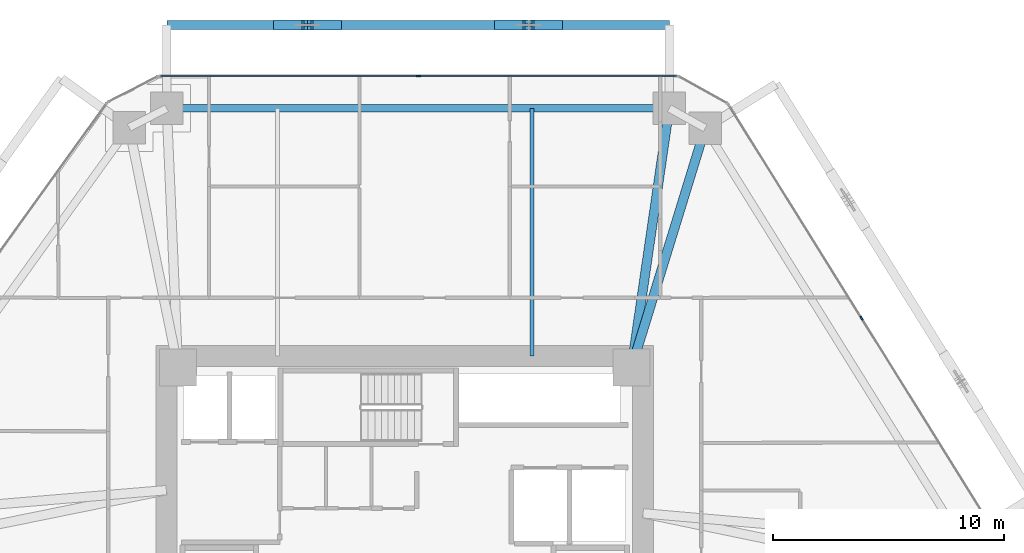
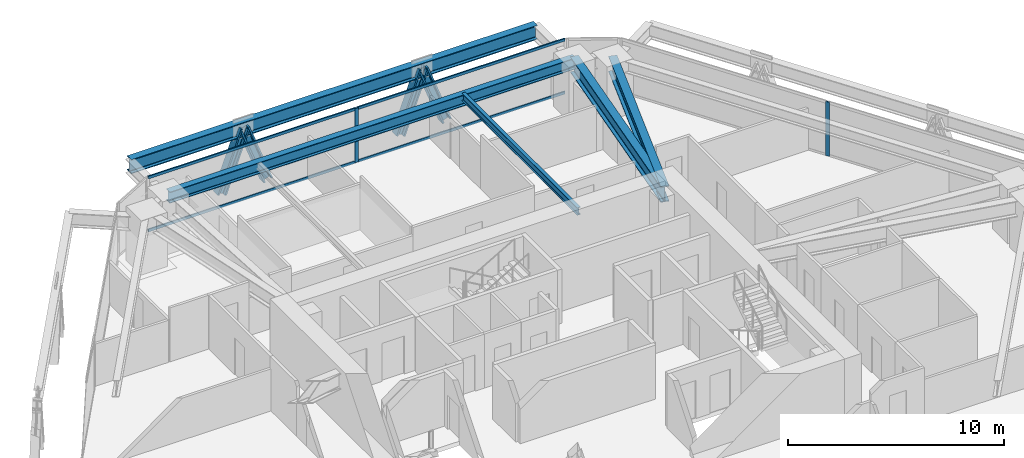
# One storey, part 8 of 17: 10 members, 5 beams, 2 elements without a shape of their own.
"""IFC4 building model written with IfcOpenShell, lengths in metres."""

from ifc_helpers import new_model, si_unit, direction, frame, origin, origin_2d, place, context, subcontext, project, spatial, rectangle, i_section, extrude, source, transform, mapped, material, layer, layer_set, material_profile, profile_set, type_object, type_shapes, element, aggregate, save


model = new_model("IFC4")

# Units and contexts
model_context = context("Model", 3, precision=1e-05, world=origin(), true_north=direction((0.0, 1.0)))
body_context = subcontext(model_context, "Body", "Model", "MODEL_VIEW")
ifc_project = project(units=[si_unit("LENGTHUNIT", "METRE"), si_unit("AREAUNIT", "SQUARE_METRE"), si_unit("VOLUMEUNIT", "CUBIC_METRE"), si_unit("PLANEANGLEUNIT", "RADIAN"), si_unit("MASSUNIT", "GRAM", prefix="KILO")], contexts=[model_context])

# Site, building, storey
site_placement = place(None, origin())
site = spatial("IfcSite", under=ifc_project, at=site_placement, CompositionType="ELEMENT")
building_placement = place(site_placement, origin())
building = spatial("IfcBuilding", under=site, at=building_placement, Name="Durnholm Broadcast Tower", CompositionType="ELEMENT")
storey_placement = place(building_placement, frame((0.0, 0.0, 39.0)))
storey = spatial("IfcBuildingStorey", under=building, at=storey_placement, Name="L08", CompositionType="ELEMENT", Elevation=39.0)

# Beams
ifc_material_1 = material(Name="Steel ASTM A992 Grade 50", Category="steel")
ifc_material_profile_1 = material_profile(ifc_material_1, i_section(OverallWidth=0.3291015625, OverallDepth=0.635009765625, WebThickness=0.017822265625, FlangeThickness=0.031005859375, FilletRadius=0.02783203125, at=origin_2d()), Name="W24X162")
ifc_profile_set_1 = profile_set([ifc_material_profile_1], Name="Steel ASTM A992 Grade 50")
beam_type_1 = type_object("IfcBeamType", Name="STL-SP-W24X162", PredefinedType="SPANDREL", material=ifc_profile_set_1)
shared_shape_1 = source(origin(), body_context, "Body", "SweptSolid", [
    extrude(i_section(OverallWidth=0.3291015625, OverallDepth=0.635009765625, WebThickness=0.017822265625, FlangeThickness=0.031005859375, FilletRadius=0.02783203125, at=origin_2d()), origin(), (0.0, 0.0, 1.0), 21.7138671875),
])
type_shapes(beam_type_1, [shared_shape_1])
beam_1_placement = place(storey_placement, frame((-10.28271484375, 19.0, 2.7275390625), z_axis=(1.0, 0.0, 0.0), x_axis=(0.0, 1.0, 0.0)))
element("IfcBeam", 1, at=beam_1_placement, inside=storey, type_object=beam_type_1, Name="L08 perimeter spandrel girder 05", PredefinedType="SPANDREL", context=body_context, shape_type="MappedRepresentation", body=[
    mapped(shared_shape_1, transform((0.0, 0.0, 0.0), x_axis=(1.0, 0.0, 0.0), y_axis=(0.0, 1.0, 0.0), z_axis=(0.0, 0.0, 1.0), scale=1.0)),
])
ifc_material_profile_2 = material_profile(ifc_material_1, i_section(OverallWidth=0.404052734375, OverallDepth=0.885009765625, WebThickness=0.0244140625, FlangeThickness=0.0439453125, FilletRadius=0.03564453125, at=origin_2d()), Name="W33X291")
ifc_profile_set_2 = profile_set([ifc_material_profile_2], Name="Steel ASTM A992 Grade 50")
beam_type_2 = type_object("IfcBeamType", Name="STL-GR-W33X291", PredefinedType="USERDEFINED", material=ifc_profile_set_2)
shared_shape_2 = source(origin(), body_context, "Body", "SweptSolid", [
    extrude(i_section(OverallWidth=0.404052734375, OverallDepth=0.885009765625, WebThickness=0.0244140625, FlangeThickness=0.0439453125, FilletRadius=0.03564453125, at=origin_2d()), origin(), (0.0, 0.0, 1.0), 11.318115234375),
])
beam_2_placement = place(storey_placement, frame((9.800048828125, 7.800048828125, 2.6025390625), z_axis=(0.144114595679, 0.989561005352, 0.0), x_axis=(-0.989561005352, 0.144114595679, 0.0)))
element("IfcBeam", 2, at=beam_2_placement, inside=storey, type_object=beam_type_2, Name="L08 radial primary floor girder 06", ObjectType="GIRDER", PredefinedType="USERDEFINED", context=body_context, shape_type="MappedRepresentation", body=[
    mapped(shared_shape_2, transform((0.0, 0.0, 0.0), x_axis=(1.0, 0.0, 0.0), y_axis=(0.0, 1.0, 0.0), z_axis=(0.0, 0.0, 1.0), scale=1.0)),
])
shared_shape_3 = source(origin(), body_context, "Body", "SweptSolid", [
    extrude(i_section(OverallWidth=0.404052734375, OverallDepth=0.885009765625, WebThickness=0.0244140625, FlangeThickness=0.0439453125, FilletRadius=0.03564453125, at=origin_2d()), origin(), (0.0, 0.0, 1.0), 10.817138671875),
])
type_shapes(beam_type_2, [shared_shape_2, shared_shape_3])
beam_3_placement = place(storey_placement, frame((9.800048828125, 7.800048828125, 2.6025390625), z_axis=(0.294219068418, 0.955738007918, 0.0), x_axis=(-0.955738007918, 0.294219068418, 0.0)))
element("IfcBeam", 3, at=beam_3_placement, inside=storey, type_object=beam_type_2, Name="L08 radial primary floor girder 07", ObjectType="GIRDER", PredefinedType="USERDEFINED", context=body_context, shape_type="MappedRepresentation", body=[
    mapped(shared_shape_3, transform((0.0, 0.0, 0.0), x_axis=(1.0, 0.0, 0.0), y_axis=(0.0, 1.0, 0.0), z_axis=(0.0, 0.0, 1.0), scale=1.0)),
])
ifc_material_profile_3 = material_profile(ifc_material_1, i_section(OverallWidth=0.180908203125, OverallDepth=0.417236328125, WebThickness=0.010986328125, FlangeThickness=0.018310546875, FilletRadius=0.01904296875, at=origin_2d()), Name="W16X57")
ifc_profile_set_3 = profile_set([ifc_material_profile_3], Name="Steel ASTM A992 Grade 50")
beam_type_3 = type_object("IfcBeamType", Name="STL-BJ-W16X57", PredefinedType="JOIST", material=ifc_profile_set_3)
shared_shape_4 = source(origin(), body_context, "Body", "SweptSolid", [
    extrude(i_section(OverallWidth=0.180908203125, OverallDepth=0.417236328125, WebThickness=0.010986328125, FlangeThickness=0.018310546875, FilletRadius=0.01904296875, at=origin_2d()), origin(), (0.0, 0.0, 1.0), 10.699951171875),
])
type_shapes(beam_type_3, [shared_shape_4])
beam_4_placement = place(storey_placement, frame((5.5, 8.300048828125, 2.83642578125), z_axis=(0.0, 1.0, 0.0), x_axis=(-1.0, 0.0, 0.0)))
element("IfcBeam", 4, at=beam_4_placement, inside=storey, type_object=beam_type_3, Name="L08 secondary floor joist 4.2", PredefinedType="JOIST", context=body_context, shape_type="MappedRepresentation", body=[
    mapped(shared_shape_4, transform((0.0, 0.0, 0.0), x_axis=(1.0, 0.0, 0.0), y_axis=(0.0, 1.0, 0.0), z_axis=(0.0, 0.0, 1.0), scale=1.0)),
])
ifc_material_profile_4 = material_profile(ifc_material_1, i_section(OverallWidth=0.385009765625, OverallDepth=0.802978515625, WebThickness=0.023681640625, FlangeThickness=0.0419921875, FilletRadius=0.032958984375, at=origin_2d()), Name="W30X261")
ifc_profile_set_4 = profile_set([ifc_material_profile_4], Name="Steel ASTM A992 Grade 50")
beam_type_4 = type_object("IfcBeamType", Name="BM-EXO-TIE", PredefinedType="USERDEFINED", material=ifc_profile_set_4)
shared_shape_5 = source(origin(), body_context, "Body", "SweptSolid", [
    extrude(i_section(OverallWidth=0.385009765625, OverallDepth=0.802978515625, WebThickness=0.023681640625, FlangeThickness=0.0419921875, FilletRadius=0.032958984375, at=origin_2d()), origin(), (0.0, 0.0, 1.0), 21.7138671875),
])
type_shapes(beam_type_4, [shared_shape_5])
beam_5_placement = place(storey_placement, frame((11.43115234375, 22.60009765625, 2.30859375), z_axis=(-1.0, 0.0, 0.0), x_axis=(0.0, -1.0, 0.0)))
element("IfcBeam", 5, at=beam_5_placement, inside=storey, type_object=beam_type_4, Name="L08 exoskeleton collector spandrel F4", PredefinedType="SPANDREL", context=body_context, shape_type="MappedRepresentation", body=[
    mapped(shared_shape_5, transform((0.0, 0.0, 0.0), x_axis=(1.0, 0.0, 0.0), y_axis=(0.0, 1.0, 0.0), z_axis=(0.0, 0.0, 1.0), scale=1.0)),
])

# Members
ifc_material_2 = material(Name="Steel ASTM A913 Grade 65", Category="steel")
ifc_material_profile_5 = material_profile(ifc_material_2, i_section(OverallWidth=0.43212890625, OverallDepth=0.497802734375, WebThickness=0.0556640625, FlangeThickness=0.0888671875, FilletRadius=0.030517578125, at=origin_2d()), Name="W14X500")
ifc_profile_set_5 = profile_set([ifc_material_profile_5], Name="Steel ASTM A913 Grade 65")
member_type_1 = type_object("IfcMemberType", Name="STL-DG-W14X500", PredefinedType="BRACE", material=ifc_profile_set_5)
shared_shape_6 = source(origin(), body_context, "Body", "SweptSolid", [
    extrude(i_section(OverallWidth=0.43212890625, OverallDepth=0.497802734375, WebThickness=0.0556640625, FlangeThickness=0.0888671875, FilletRadius=0.030517578125, at=origin_2d()), origin(), (0.0, 0.0, 1.0), 3.523193359375),
])
type_shapes(member_type_1, [shared_shape_6])
for number, where, z_axis, x_axis, name in (
    (6, (6.585205078125, 22.60009765625, -0.991455078125), (-0.350219588454, 0.0, 0.936667625075), (0.0, -1.0, 0.0), "L08 stand-off diagrid brace F4.D1.1"),
    (7, (4.117431640625, 22.60009765625, -0.991455078125), (0.350219588454, 0.0, 0.936667625075), (0.0, 1.0, 0.0), "L08 stand-off diagrid brace F4.D1.2"),
    (8, (-2.968994140625, 22.60009765625, -0.991455078125), (-0.350219588454, 0.0, 0.936667625075), (0.0, -1.0, 0.0), "L08 stand-off diagrid brace F4.D2.1"),
    (9, (-5.436767578125, 22.60009765625, -0.991455078125), (0.350219588454, 0.0, 0.936667625075), (0.0, 1.0, 0.0), "L08 stand-off diagrid brace F4.D2.2"),
):
    element("IfcMember", number, at=place(storey_placement, frame(where, z_axis=z_axis, x_axis=x_axis)), inside=storey, type_object=member_type_1, Name=name, PredefinedType="BRACE", context=body_context, shape_type="MappedRepresentation", body=[
        mapped(shared_shape_6, transform((0.0, 0.0, 0.0), x_axis=(1.0, 0.0, 0.0), y_axis=(0.0, 1.0, 0.0), z_axis=(0.0, 0.0, 1.0), scale=1.0)),
    ])

# Curtain wall, member
ifc_material_3 = material(Name="Aluminium and Solar Control IGU", Category="aluminium")
ifc_layer = layer(ifc_material_3, 0.18994140625)
ifc_layer_set = layer_set([ifc_layer], Name="Aluminium and Solar Control IGU")
curtain_wall_type = type_object("IfcCurtainWallType", Name="CW-SYS-3", PredefinedType="NOTDEFINED", material=ifc_layer_set)
curtain_wall_1_placement = place(storey_placement, origin())
curtain_wall_1 = element("IfcCurtainWall", 10, at=curtain_wall_1_placement, inside=storey, type_object=curtain_wall_type, Name="L08 curtain wall CW-Z12-VIS CW-L08-F04", PredefinedType="NOTDEFINED")
ifc_material_4 = material(Name="Aluminium 6063-T6", Category="aluminium")
ifc_material_profile_6 = material_profile(ifc_material_4, rectangle(XDim=0.070068359375, YDim=0.18994140625, at=origin_2d()), Name="CWM70X190")
ifc_profile_set_6 = profile_set([ifc_material_profile_6], Name="Aluminium 6063-T6")
member_type_2 = type_object("IfcMemberType", Name="CW-SYS-3-MUL", PredefinedType="MULLION", material=ifc_profile_set_6)
shared_shape_7 = source(origin(), body_context, "Body", "SweptSolid", [
    extrude(rectangle(XDim=0.070068359375, YDim=0.18994140625, at=origin_2d()), origin(), (0.0, 0.0, 1.0), 3.06005859375),
])
type_shapes(member_type_2, [shared_shape_7])
member_1_placement = place(storey_placement, frame((0.5869140625, 20.39990234375, 0.0), z_axis=(0.0, 0.0, 1.0), x_axis=(0.0, 1.0, 0.0)))
member_1 = element("IfcMember", 11, at=member_1_placement, type_object=member_type_2, Name="CW-Z12-VIS mullion 2", PredefinedType="MULLION", context=body_context, shape_type="MappedRepresentation", body=[
    mapped(shared_shape_7, transform((0.0, 0.0, 0.0), x_axis=(1.0, 0.0, 0.0), y_axis=(0.0, 1.0, 0.0), z_axis=(0.0, 0.0, 1.0), scale=1.0)),
])

curtain_wall_2_placement = place(storey_placement, origin())
curtain_wall_2 = element("IfcCurtainWall", 12, at=curtain_wall_2_placement, inside=storey, type_object=curtain_wall_type, Name="L08 curtain wall CW-Z12-VIS CW-L08-F06", PredefinedType="NOTDEFINED")
member_2_placement = place(storey_placement, frame((19.741943359375, 9.93212890625, 0.0), z_axis=(0.0, 0.0, 1.0), x_axis=(0.848875785503, 0.528592376777, 0.0)))
member_2 = element("IfcMember", 13, at=member_2_placement, type_object=member_type_2, Name="CW-Z12-VIS mullion 2", PredefinedType="MULLION", context=body_context, shape_type="MappedRepresentation", body=[
    mapped(shared_shape_7, transform((0.0, 0.0, 0.0), x_axis=(1.0, 0.0, 0.0), y_axis=(0.0, 1.0, 0.0), z_axis=(0.0, 0.0, 1.0), scale=1.0)),
])
aggregate(curtain_wall_2, [member_2])

# Member
ifc_material_profile_7 = material_profile(ifc_material_4, rectangle(XDim=0.070068359375, YDim=0.14990234375, at=origin_2d()), Name="CWT70X150")
ifc_profile_set_7 = profile_set([ifc_material_profile_7], Name="Aluminium 6063-T6")
member_type_3 = type_object("IfcMemberType", Name="CW-SYS-3-TRN", PredefinedType="USERDEFINED", material=ifc_profile_set_7)
shared_shape_8 = source(origin(), body_context, "Body", "SweptSolid", [
    extrude(rectangle(XDim=0.070068359375, YDim=0.14990234375, at=origin_2d()), origin(), (0.0, 0.0, 1.0), 11.10205078125),
])
type_shapes(member_type_3, [shared_shape_8])
member_3_placement = place(storey_placement, frame((-10.55029296875, 20.39990234375, 0.034912109375), z_axis=(1.0, 0.0, 0.0), x_axis=(0.0, 1.0, 0.0)))
member_3 = element("IfcMember", 14, at=member_3_placement, type_object=member_type_3, Name="CW-Z12-VIS transom 1.1", ObjectType="TRANSOM", PredefinedType="USERDEFINED", context=body_context, shape_type="MappedRepresentation", body=[
    mapped(shared_shape_8, transform((0.0, 0.0, 0.0), x_axis=(1.0, 0.0, 0.0), y_axis=(0.0, 1.0, 0.0), z_axis=(0.0, 0.0, 1.0), scale=1.0)),
])

member_4_placement = place(storey_placement, frame((-10.55029296875, 20.39990234375, 3.02490234375), z_axis=(1.0, 0.0, 0.0), x_axis=(0.0, 1.0, 0.0)))
member_4 = element("IfcMember", 15, at=member_4_placement, type_object=member_type_3, Name="CW-Z12-VIS transom 1.2", ObjectType="TRANSOM", PredefinedType="USERDEFINED", context=body_context, shape_type="MappedRepresentation", body=[
    mapped(shared_shape_8, transform((0.0, 0.0, 0.0), x_axis=(1.0, 0.0, 0.0), y_axis=(0.0, 1.0, 0.0), z_axis=(0.0, 0.0, 1.0), scale=1.0)),
])

member_5_placement = place(storey_placement, frame((0.621826171875, 20.39990234375, 0.034912109375), z_axis=(1.0, 0.0, 0.0), x_axis=(0.0, 1.0, 0.0)))
member_5 = element("IfcMember", 16, at=member_5_placement, type_object=member_type_3, Name="CW-Z12-VIS transom 2.1", ObjectType="TRANSOM", PredefinedType="USERDEFINED", context=body_context, shape_type="MappedRepresentation", body=[
    mapped(shared_shape_8, transform((0.0, 0.0, 0.0), x_axis=(1.0, 0.0, 0.0), y_axis=(0.0, 1.0, 0.0), z_axis=(0.0, 0.0, 1.0), scale=1.0)),
])

member_6_placement = place(storey_placement, frame((0.621826171875, 20.39990234375, 3.02490234375), z_axis=(1.0, 0.0, 0.0), x_axis=(0.0, 1.0, 0.0)))
member_6 = element("IfcMember", 17, at=member_6_placement, type_object=member_type_3, Name="CW-Z12-VIS transom 2.2", ObjectType="TRANSOM", PredefinedType="USERDEFINED", context=body_context, shape_type="MappedRepresentation", body=[
    mapped(shared_shape_8, transform((0.0, 0.0, 0.0), x_axis=(1.0, 0.0, 0.0), y_axis=(0.0, 1.0, 0.0), z_axis=(0.0, 0.0, 1.0), scale=1.0)),
])

aggregate(curtain_wall_1, [member_1, member_3, member_4, member_5, member_6])

save(model, "model.ifc")
